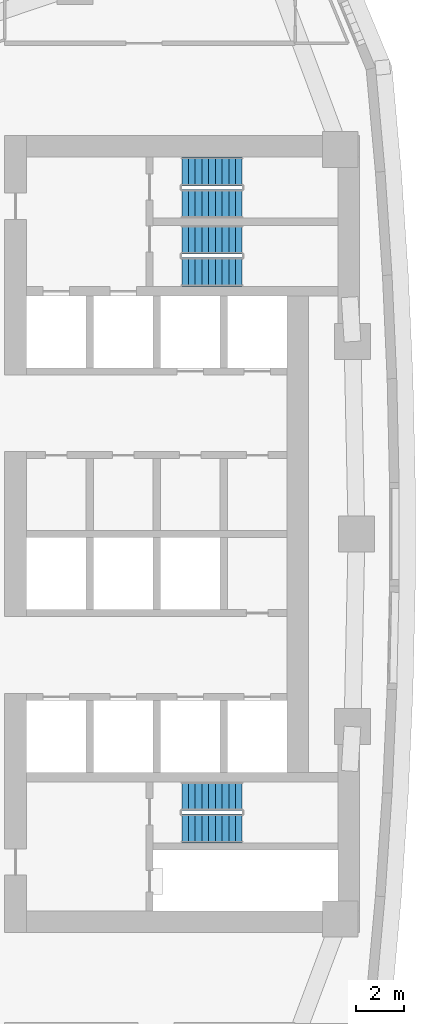
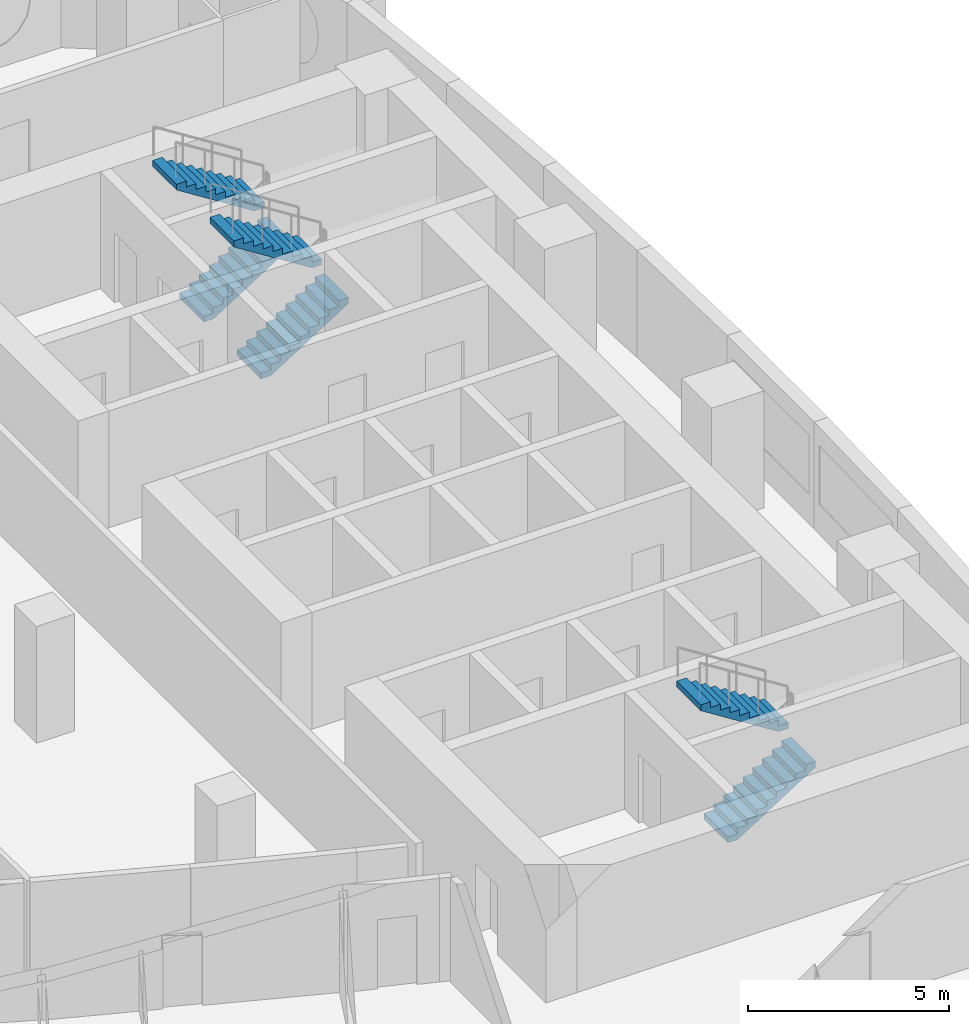
# One storey, part 13 of 17: 6 stair flights, 3 elements without a shape of their own.
"""IFC4 building model written with IfcOpenShell, lengths in metres."""

from ifc_helpers import new_model, si_unit, direction, frame, origin, place, context, subcontext, project, spatial, polyline, outline, extrude, material, type_object, element, aggregate, save


model = new_model("IFC4")

# Units and contexts
model_context = context("Model", 3, precision=1e-05, world=origin(), true_north=direction((0.0, 1.0)))
body_context = subcontext(model_context, "Body", "Model", "MODEL_VIEW")
ifc_project = project(units=[si_unit("LENGTHUNIT", "METRE"), si_unit("AREAUNIT", "SQUARE_METRE"), si_unit("VOLUMEUNIT", "CUBIC_METRE"), si_unit("PLANEANGLEUNIT", "RADIAN"), si_unit("MASSUNIT", "GRAM", prefix="KILO")], contexts=[model_context])

# Site, building, storey
site_placement = place(None, origin())
site = spatial("IfcSite", under=ifc_project, at=site_placement, CompositionType="ELEMENT")
building_placement = place(site_placement, origin())
building = spatial("IfcBuilding", under=site, at=building_placement, Name="Ostrand Prow Hotel Tower", CompositionType="ELEMENT")
storey_placement = place(building_placement, frame((0.0, 0.0, 162.14990234375)))
storey = spatial("IfcBuildingStorey", under=building, at=storey_placement, Name="L40", CompositionType="ELEMENT", Elevation=162.14990234375)

# Stair, stair flights
ifc_material_1 = material(Name="Concrete C40/50", Category="concrete")
stair_type = type_object("IfcStairType", Name="Exit stair 1200 upper zone", PredefinedType="HALF_TURN_STAIR", material=ifc_material_1)
stair_1_placement = place(storey_placement, origin())
stair_1 = element("IfcStair", 1, at=stair_1_placement, inside=storey, type_object=stair_type, Name="L40 ST1C", PredefinedType="HALF_TURN_STAIR")
ifc_material_2 = material(Name="Concrete C40/50", Category="concrete")
stair_flight_type = type_object("IfcStairFlightType", Name="Stair flight 1200 concrete", PredefinedType="STRAIGHT", material=ifc_material_2)
stair_flight_1_placement = place(storey_placement, frame((57.199951171875, 10.949951171875, 0.0), z_axis=(0.0, 0.0, 1.0), x_axis=(1.0, 0.0, 0.0)))
stair_flight_1 = element("IfcStairFlight", 2, at=stair_flight_1_placement, type_object=stair_flight_type, Name="ST1C flight 1", NumberOfRisers=10, NumberOfTreads=9, PredefinedType="STRAIGHT", RiserHeight=0.1775, TreadLength=0.28, context=body_context, shape_type="SweptSolid", body=[
    extrude(outline(polyline([(0.0, 0.0), (0.0, 0.177490234375), (0.280029296875, 0.177490234375), (0.280029296875, 0.35498046875), (0.56005859375, 0.35498046875), (0.56005859375, 0.532470703125), (0.840087890625, 0.532470703125), (0.840087890625, 0.7099609375), (1.1201171875, 0.7099609375), (1.1201171875, 0.887451171875), (1.39990234375, 0.887451171875), (1.39990234375, 1.06494140625), (1.679931640625, 1.06494140625), (1.679931640625, 1.242431640625), (1.9599609375, 1.242431640625), (1.9599609375, 1.419921875), (2.239990234375, 1.419921875), (2.239990234375, 1.597412109375), (2.52001953125, 1.597412109375), (2.52001953125, 1.77490234375), (2.52001953125, 1.419921875), (0.280029296875, 0.0), (0.0, 0.0)])), frame((0.0, 0.60009765625, 0.0), z_axis=(0.0, -1.0, 0.0), x_axis=(1.0, 0.0, 0.0)), (0.0, 0.0, 1.0), 1.199951171875),
])
stair_flight_2_placement = place(storey_placement, frame((59.719970703125, 12.300048828125, 1.775146484375), z_axis=(0.0, 0.0, 1.0), x_axis=(-1.0, 0.0, 0.0)))
stair_flight_2 = element("IfcStairFlight", 3, at=stair_flight_2_placement, type_object=stair_flight_type, Name="ST1C flight 2", NumberOfRisers=10, NumberOfTreads=9, PredefinedType="STRAIGHT", RiserHeight=0.1775, TreadLength=0.28, context=body_context, shape_type="SweptSolid", body=[
    extrude(outline(polyline([(0.0, 0.0), (0.0, 0.177490234375), (0.280029296875, 0.177490234375), (0.280029296875, 0.35498046875), (0.56005859375, 0.35498046875), (0.56005859375, 0.532470703125), (0.840087890625, 0.532470703125), (0.840087890625, 0.7099609375), (1.1201171875, 0.7099609375), (1.1201171875, 0.887451171875), (1.39990234375, 0.887451171875), (1.39990234375, 1.06494140625), (1.679931640625, 1.06494140625), (1.679931640625, 1.242431640625), (1.9599609375, 1.242431640625), (1.9599609375, 1.419921875), (2.239990234375, 1.419921875), (2.239990234375, 1.597412109375), (2.52001953125, 1.597412109375), (2.52001953125, 1.77490234375), (2.52001953125, 1.419921875), (0.280029296875, 0.0), (0.0, 0.0)])), frame((0.0, 0.60009765625, 0.0), z_axis=(0.0, -1.0, 0.0), x_axis=(1.0, 0.0, 0.0)), (0.0, 0.0, 1.0), 1.199951171875),
])
aggregate(stair_1, [stair_flight_1, stair_flight_2])

stair_2_placement = place(storey_placement, origin())
stair_2 = element("IfcStair", 4, at=stair_2_placement, inside=storey, type_object=stair_type, Name="L40 ST3C", PredefinedType="HALF_TURN_STAIR")
stair_flight_3_placement = place(storey_placement, frame((57.199951171875, 13.800048828125, 0.0), z_axis=(0.0, 0.0, 1.0), x_axis=(1.0, 0.0, 0.0)))
stair_flight_3 = element("IfcStairFlight", 5, at=stair_flight_3_placement, type_object=stair_flight_type, Name="ST3C flight 1", NumberOfRisers=10, NumberOfTreads=9, PredefinedType="STRAIGHT", RiserHeight=0.1775, TreadLength=0.28, context=body_context, shape_type="SweptSolid", body=[
    extrude(outline(polyline([(0.0, 0.0), (0.0, 0.177490234375), (0.280029296875, 0.177490234375), (0.280029296875, 0.35498046875), (0.56005859375, 0.35498046875), (0.56005859375, 0.532470703125), (0.840087890625, 0.532470703125), (0.840087890625, 0.7099609375), (1.1201171875, 0.7099609375), (1.1201171875, 0.887451171875), (1.39990234375, 0.887451171875), (1.39990234375, 1.06494140625), (1.679931640625, 1.06494140625), (1.679931640625, 1.242431640625), (1.9599609375, 1.242431640625), (1.9599609375, 1.419921875), (2.239990234375, 1.419921875), (2.239990234375, 1.597412109375), (2.52001953125, 1.597412109375), (2.52001953125, 1.77490234375), (2.52001953125, 1.419921875), (0.280029296875, 0.0), (0.0, 0.0)])), frame((0.0, 0.60009765625, 0.0), z_axis=(0.0, -1.0, 0.0), x_axis=(1.0, 0.0, 0.0)), (0.0, 0.0, 1.0), 1.199951171875),
])
stair_flight_4_placement = place(storey_placement, frame((59.719970703125, 15.14990234375, 1.775146484375), z_axis=(0.0, 0.0, 1.0), x_axis=(-1.0, 0.0, 0.0)))
stair_flight_4 = element("IfcStairFlight", 6, at=stair_flight_4_placement, type_object=stair_flight_type, Name="ST3C flight 2", NumberOfRisers=10, NumberOfTreads=9, PredefinedType="STRAIGHT", RiserHeight=0.1775, TreadLength=0.28, context=body_context, shape_type="SweptSolid", body=[
    extrude(outline(polyline([(0.0, 0.0), (0.0, 0.177490234375), (0.280029296875, 0.177490234375), (0.280029296875, 0.35498046875), (0.56005859375, 0.35498046875), (0.56005859375, 0.532470703125), (0.840087890625, 0.532470703125), (0.840087890625, 0.7099609375), (1.1201171875, 0.7099609375), (1.1201171875, 0.887451171875), (1.39990234375, 0.887451171875), (1.39990234375, 1.06494140625), (1.679931640625, 1.06494140625), (1.679931640625, 1.242431640625), (1.9599609375, 1.242431640625), (1.9599609375, 1.419921875), (2.239990234375, 1.419921875), (2.239990234375, 1.597412109375), (2.52001953125, 1.597412109375), (2.52001953125, 1.77490234375), (2.52001953125, 1.419921875), (0.280029296875, 0.0), (0.0, 0.0)])), frame((0.0, 0.60009765625, 0.0), z_axis=(0.0, -1.0, 0.0), x_axis=(1.0, 0.0, 0.0)), (0.0, 0.0, 1.0), 1.199951171875),
])
aggregate(stair_2, [stair_flight_3, stair_flight_4])

stair_3_placement = place(storey_placement, origin())
stair_3 = element("IfcStair", 7, at=stair_3_placement, inside=storey, type_object=stair_type, Name="L40 ST2C", PredefinedType="HALF_TURN_STAIR")
stair_flight_5_placement = place(storey_placement, frame((57.199951171875, -12.300048828125, 0.0), z_axis=(0.0, 0.0, 1.0), x_axis=(1.0, 0.0, 0.0)))
stair_flight_5 = element("IfcStairFlight", 8, at=stair_flight_5_placement, type_object=stair_flight_type, Name="ST2C flight 1", NumberOfRisers=10, NumberOfTreads=9, PredefinedType="STRAIGHT", RiserHeight=0.1775, TreadLength=0.28, context=body_context, shape_type="SweptSolid", body=[
    extrude(outline(polyline([(0.0, 0.0), (0.0, 0.177490234375), (0.280029296875, 0.177490234375), (0.280029296875, 0.35498046875), (0.56005859375, 0.35498046875), (0.56005859375, 0.532470703125), (0.840087890625, 0.532470703125), (0.840087890625, 0.7099609375), (1.1201171875, 0.7099609375), (1.1201171875, 0.887451171875), (1.39990234375, 0.887451171875), (1.39990234375, 1.06494140625), (1.679931640625, 1.06494140625), (1.679931640625, 1.242431640625), (1.9599609375, 1.242431640625), (1.9599609375, 1.419921875), (2.239990234375, 1.419921875), (2.239990234375, 1.597412109375), (2.52001953125, 1.597412109375), (2.52001953125, 1.77490234375), (2.52001953125, 1.419921875), (0.280029296875, 0.0), (0.0, 0.0)])), frame((0.0, 0.60009765625, 0.0), z_axis=(0.0, -1.0, 0.0), x_axis=(1.0, 0.0, 0.0)), (0.0, 0.0, 1.0), 1.199951171875),
])
stair_flight_6_placement = place(storey_placement, frame((59.719970703125, -10.949951171875, 1.775146484375), z_axis=(0.0, 0.0, 1.0), x_axis=(-1.0, 0.0, 0.0)))
stair_flight_6 = element("IfcStairFlight", 9, at=stair_flight_6_placement, type_object=stair_flight_type, Name="ST2C flight 2", NumberOfRisers=10, NumberOfTreads=9, PredefinedType="STRAIGHT", RiserHeight=0.1775, TreadLength=0.28, context=body_context, shape_type="SweptSolid", body=[
    extrude(outline(polyline([(0.0, 0.0), (0.0, 0.177490234375), (0.280029296875, 0.177490234375), (0.280029296875, 0.35498046875), (0.56005859375, 0.35498046875), (0.56005859375, 0.532470703125), (0.840087890625, 0.532470703125), (0.840087890625, 0.7099609375), (1.1201171875, 0.7099609375), (1.1201171875, 0.887451171875), (1.39990234375, 0.887451171875), (1.39990234375, 1.06494140625), (1.679931640625, 1.06494140625), (1.679931640625, 1.242431640625), (1.9599609375, 1.242431640625), (1.9599609375, 1.419921875), (2.239990234375, 1.419921875), (2.239990234375, 1.597412109375), (2.52001953125, 1.597412109375), (2.52001953125, 1.77490234375), (2.52001953125, 1.419921875), (0.280029296875, 0.0), (0.0, 0.0)])), frame((0.0, 0.60009765625, 0.0), z_axis=(0.0, -1.0, 0.0), x_axis=(1.0, 0.0, 0.0)), (0.0, 0.0, 1.0), 1.199951171875),
])
aggregate(stair_3, [stair_flight_5, stair_flight_6])

save(model, "model.ifc")
